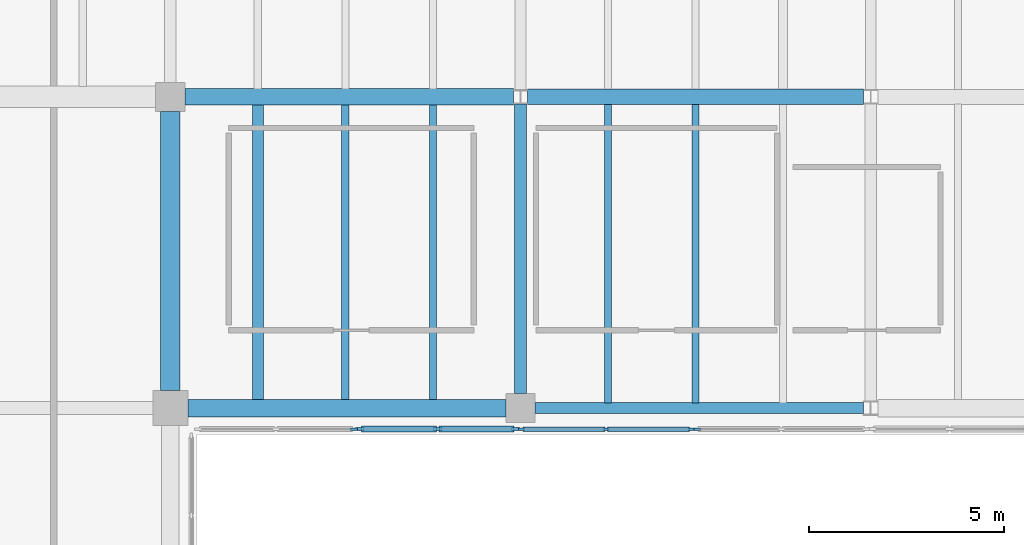
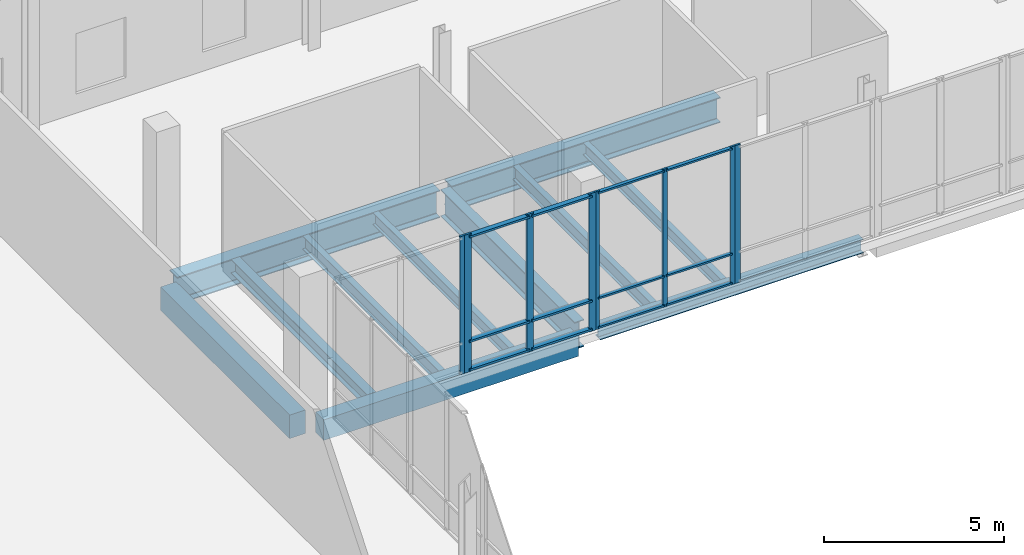
# One storey, part 34 of 81: 20 members, 11 beams, 4 elements without a shape of their own.
"""IFC4 building model written with IfcOpenShell, lengths in metres."""

from ifc_helpers import new_model, si_unit, direction, frame, origin, origin_2d, place, context, subcontext, project, spatial, rectangle, i_section, extrude, material, material_profile, profile_set, type_object, element, aggregate, save


model = new_model("IFC4")

# Units and contexts
model_context = context("Model", 3, precision=1e-05, world=origin(), true_north=direction((0.0, 1.0)))
body_context = subcontext(model_context, "Body", "Model", "MODEL_VIEW")
ifc_project = project(units=[si_unit("LENGTHUNIT", "METRE"), si_unit("AREAUNIT", "SQUARE_METRE"), si_unit("VOLUMEUNIT", "CUBIC_METRE"), si_unit("PLANEANGLEUNIT", "RADIAN"), si_unit("MASSUNIT", "GRAM", prefix="KILO")], contexts=[model_context])

# Site, building, storey
site_placement = place(None, origin())
site = spatial("IfcSite", under=ifc_project, at=site_placement, CompositionType="ELEMENT")
building_placement = place(site_placement, origin())
building = spatial("IfcBuilding", under=site, at=building_placement, Name="Trimount Lyric Opera House", CompositionType="ELEMENT")
storey_placement = place(building_placement, frame((0.0, 0.0, 5.0)))
storey = spatial("IfcBuildingStorey", under=building, at=storey_placement, Name="L01", CompositionType="ELEMENT", Elevation=5.0)

# Beams
ifc_material_1 = material(Name="Steel ASTM A992 Grade 50", Category="steel")
ifc_material_profile_1 = material_profile(ifc_material_1, i_section(OverallWidth=0.4189453125, OverallDepth=0.927001953125, WebThickness=0.019287109375, FlangeThickness=0.031982421875, FilletRadius=0.02392578125, at=origin_2d()), Name="W36X231")
ifc_profile_set_1 = profile_set([ifc_material_profile_1], Name="Steel ASTM A992 Grade 50")
beam_type_1 = type_object("IfcBeamType", Name="B-02", PredefinedType="BEAM", material=ifc_profile_set_1)
beam_1_placement = place(storey_placement, frame((18.375, 110.0, -0.743408203125), z_axis=(1.0, 0.0, 0.0), x_axis=(0.0, 1.0, 0.0)))
element("IfcBeam", 1, at=beam_1_placement, inside=storey, type_object=beam_type_1, Name="L01 girder X-0565", PredefinedType="BEAM", context=body_context, shape_type="SweptSolid", body=[
    extrude(i_section(OverallWidth=0.4189453125, OverallDepth=0.927001953125, WebThickness=0.019287109375, FlangeThickness=0.031982421875, FilletRadius=0.02392578125, at=origin_2d()), origin(), (0.0, 0.0, 1.0), 8.44091796875),
])
ifc_material_2 = material(Name="Steel ASTM A992 Grade 50", Category="steel")
ifc_material_profile_2 = material_profile(ifc_material_2, i_section(OverallWidth=0.304931640625, OverallDepth=0.9189453125, WebThickness=0.017333984375, FlangeThickness=0.02783203125, FilletRadius=0.02001953125, at=origin_2d()), Name="W36X170")
ifc_profile_set_2 = profile_set([ifc_material_profile_2], Name="Steel ASTM A992 Grade 50")
beam_type_2 = type_object("IfcBeamType", Name="B-03", PredefinedType="BEAM", material=ifc_profile_set_2)
beam_2_placement = place(storey_placement, frame((27.0, 102.375, -0.739501953125), z_axis=(0.0, 1.0, 0.0), x_axis=(-1.0, 0.0, 0.0)))
element("IfcBeam", 2, at=beam_2_placement, inside=storey, type_object=beam_type_2, Name="L01 girder Y-0621", PredefinedType="BEAM", context=body_context, shape_type="SweptSolid", body=[
    extrude(i_section(OverallWidth=0.304931640625, OverallDepth=0.9189453125, WebThickness=0.017333984375, FlangeThickness=0.02783203125, FilletRadius=0.02001953125, at=origin_2d()), origin(), (0.0, 0.0, 1.0), 7.447021484375),
])
ifc_material_3 = material(Name="Steel ASTM A992 Grade 50", Category="steel")
ifc_material_profile_3 = material_profile(ifc_material_3, i_section(OverallWidth=0.40087890625, OverallDepth=0.861083984375, WebThickness=0.019775390625, FlangeThickness=0.032470703125, FilletRadius=0.02001953125, at=origin_2d()), Name="W33X221")
ifc_profile_set_3 = profile_set([ifc_material_profile_3], Name="Steel ASTM A992 Grade 50")
beam_type_3 = type_object("IfcBeamType", Name="B-04", PredefinedType="BEAM", material=ifc_profile_set_3)
beam_3_placement = place(storey_placement, frame((27.18408203125, 110.0, -0.71044921875), z_axis=(1.0, 0.0, 0.0), x_axis=(0.0, 1.0, 0.0)))
element("IfcBeam", 3, at=beam_3_placement, inside=storey, type_object=beam_type_3, Name="L01 girder X-0566", PredefinedType="BEAM", context=body_context, shape_type="SweptSolid", body=[
    extrude(i_section(OverallWidth=0.40087890625, OverallDepth=0.861083984375, WebThickness=0.019775390625, FlangeThickness=0.032470703125, FilletRadius=0.02001953125, at=origin_2d()), origin(), (0.0, 0.0, 1.0), 8.62939453125),
])
ifc_material_4 = material(Name="Concrete C40/50", Category="concrete")
ifc_material_profile_4 = material_profile(ifc_material_4, rectangle(XDim=0.5, YDim=0.800048828125, at=origin_2d()), Name="RC500X800")
ifc_profile_set_4 = profile_set([ifc_material_profile_4], Name="Concrete C40/50")
beam_type_4 = type_object("IfcBeamType", Name="B-15", PredefinedType="BEAM", material=ifc_profile_set_4)
beam_4_placement = place(storey_placement, frame((18.0, 102.449951171875, -0.679931640625), z_axis=(0.0, 1.0, 0.0), x_axis=(-1.0, 0.0, 0.0)))
element("IfcBeam", 4, at=beam_4_placement, inside=storey, type_object=beam_type_4, Name="L01 girder Y-0617", PredefinedType="BEAM", context=body_context, shape_type="SweptSolid", body=[
    extrude(rectangle(XDim=0.5, YDim=0.800048828125, at=origin_2d()), origin(), (0.0, 0.0, 1.0), 7.175048828125),
])
ifc_material_5 = material(Name="Steel ASTM A992 Grade 50", Category="steel")
ifc_material_profile_5 = material_profile(ifc_material_5, i_section(OverallWidth=0.281982421875, OverallDepth=0.467041015625, WebThickness=0.01220703125, FlangeThickness=0.01953125, FilletRadius=0.012939453125, at=origin_2d()), Name="W18X86")
ifc_profile_set_5 = profile_set([ifc_material_profile_5], Name="Steel ASTM A992 Grade 50")
beam_type_5 = type_object("IfcBeamType", Name="J-03", PredefinedType="BEAM", material=ifc_profile_set_5)
beam_5_placement = place(storey_placement, frame((20.25, 102.220947265625, -0.513427734375), z_axis=(0.0, 1.0, 0.0), x_axis=(-1.0, 0.0, 0.0)))
element("IfcBeam", 5, at=beam_5_placement, inside=storey, type_object=beam_type_5, Name="L01 composite floor joist 0605", PredefinedType="BEAM", context=body_context, shape_type="SweptSolid", body=[
    extrude(i_section(OverallWidth=0.281982421875, OverallDepth=0.467041015625, WebThickness=0.01220703125, FlangeThickness=0.01953125, FilletRadius=0.012939453125, at=origin_2d()), origin(), (0.0, 0.0, 1.0), 7.573486328125),
])
ifc_material_6 = material(Name="Steel ASTM A992 Grade 50", Category="steel")
ifc_material_profile_6 = material_profile(ifc_material_6, i_section(OverallWidth=0.19091796875, OverallDepth=0.45703125, WebThickness=0.009033203125, FlangeThickness=0.014404296875, FilletRadius=0.010986328125, at=origin_2d()), Name="W18X50")
ifc_profile_set_6 = profile_set([ifc_material_profile_6], Name="Steel ASTM A992 Grade 50")
beam_type_6 = type_object("IfcBeamType", Name="J-04", PredefinedType="BEAM", material=ifc_profile_set_6)
beam_6_placement = place(storey_placement, frame((22.5, 102.220947265625, -0.508544921875), z_axis=(0.0, 1.0, 0.0), x_axis=(-1.0, 0.0, 0.0)))
element("IfcBeam", 6, at=beam_6_placement, inside=storey, type_object=beam_type_6, Name="L01 composite floor joist 0606", PredefinedType="BEAM", context=body_context, shape_type="SweptSolid", body=[
    extrude(i_section(OverallWidth=0.19091796875, OverallDepth=0.45703125, WebThickness=0.009033203125, FlangeThickness=0.014404296875, FilletRadius=0.010986328125, at=origin_2d()), origin(), (0.0, 0.0, 1.0), 7.573486328125),
])
beam_7_placement = place(storey_placement, frame((29.25, 102.136962890625, -0.508544921875), z_axis=(0.0, 1.0, 0.0), x_axis=(-1.0, 0.0, 0.0)))
element("IfcBeam", 7, at=beam_7_placement, inside=storey, type_object=beam_type_6, Name="L01 composite floor joist 0615", PredefinedType="BEAM", context=body_context, shape_type="SweptSolid", body=[
    extrude(i_section(OverallWidth=0.19091796875, OverallDepth=0.45703125, WebThickness=0.009033203125, FlangeThickness=0.014404296875, FilletRadius=0.010986328125, at=origin_2d()), origin(), (0.0, 0.0, 1.0), 7.66650390625),
])
ifc_material_7 = material(Name="Steel ASTM A992 Grade 50", Category="steel")
ifc_material_profile_7 = material_profile(ifc_material_7, i_section(OverallWidth=0.180908203125, OverallDepth=0.4169921875, WebThickness=0.010986328125, FlangeThickness=0.018310546875, FilletRadius=0.010986328125, at=origin_2d()), Name="W16X57")
ifc_profile_set_7 = profile_set([ifc_material_profile_7], Name="Steel ASTM A992 Grade 50")
beam_type_7 = type_object("IfcBeamType", Name="J-05", PredefinedType="BEAM", material=ifc_profile_set_7)
beam_8_placement = place(storey_placement, frame((24.75, 102.220947265625, -0.488525390625), z_axis=(0.0, 1.0, 0.0), x_axis=(-1.0, 0.0, 0.0)))
element("IfcBeam", 8, at=beam_8_placement, inside=storey, type_object=beam_type_7, Name="L01 composite floor joist 0607", PredefinedType="BEAM", context=body_context, shape_type="SweptSolid", body=[
    extrude(i_section(OverallWidth=0.180908203125, OverallDepth=0.4169921875, WebThickness=0.010986328125, FlangeThickness=0.018310546875, FilletRadius=0.010986328125, at=origin_2d()), origin(), (0.0, 0.0, 1.0), 7.573486328125),
])
beam_9_placement = place(storey_placement, frame((31.5, 102.136962890625, -0.488525390625), z_axis=(0.0, 1.0, 0.0), x_axis=(-1.0, 0.0, 0.0)))
element("IfcBeam", 9, at=beam_9_placement, inside=storey, type_object=beam_type_7, Name="L01 composite floor joist 0616", PredefinedType="BEAM", context=body_context, shape_type="SweptSolid", body=[
    extrude(i_section(OverallWidth=0.180908203125, OverallDepth=0.4169921875, WebThickness=0.010986328125, FlangeThickness=0.018310546875, FilletRadius=0.010986328125, at=origin_2d()), origin(), (0.0, 0.0, 1.0), 7.66650390625),
])

# Curtain wall, members
ifc_material_8 = material(Name="Thermally Broken Aluminium and Low-E Glass", Category="aluminium")
curtain_wall_type = type_object("IfcCurtainWallType", Name="CW-03", PredefinedType="NOTDEFINED", material=ifc_material_8)
curtain_wall_1_placement = place(storey_placement, origin())
curtain_wall_1 = element("IfcCurtainWall", 10, at=curtain_wall_1_placement, inside=storey, type_object=curtain_wall_type, Name="L01 curtain wall 159", PredefinedType="NOTDEFINED")
ifc_material_9 = material(Name="Anodised Aluminium 6063-T6", Category="aluminium")
ifc_material_profile_8 = material_profile(ifc_material_9, rectangle(XDim=0.070068359375, YDim=0.219970703125, at=origin_2d()), Name="ALU-MULL-70X220")
ifc_profile_set_8 = profile_set([ifc_material_profile_8], Name="Anodised Aluminium 6063-T6")
member_type_1 = type_object("IfcMemberType", Name="ML-01", PredefinedType="MULLION", material=ifc_profile_set_8)
member_1_placement = place(storey_placement, frame((26.875, 101.4599609375, 0.0), z_axis=(0.0, 0.0, 1.0), x_axis=(0.0, -1.0, 0.0)))
member_1 = element("IfcMember", 11, at=member_1_placement, type_object=member_type_1, Name="CW-03 mullion 1", PredefinedType="MULLION", context=body_context, shape_type="SweptSolid", body=[
    extrude(rectangle(XDim=0.070068359375, YDim=0.219970703125, at=origin_2d()), origin(), (0.0, 0.0, 1.0), 4.679931640625),
])
member_2_placement = place(storey_placement, frame((24.875, 101.4599609375, 0.0), z_axis=(0.0, 0.0, 1.0), x_axis=(0.0, -1.0, 0.0)))
member_2 = element("IfcMember", 12, at=member_2_placement, type_object=member_type_1, Name="CW-03 mullion 2", PredefinedType="MULLION", context=body_context, shape_type="SweptSolid", body=[
    extrude(rectangle(XDim=0.070068359375, YDim=0.219970703125, at=origin_2d()), origin(), (0.0, 0.0, 1.0), 4.679931640625),
])
member_3_placement = place(storey_placement, frame((22.875, 101.4599609375, 0.0), z_axis=(0.0, 0.0, 1.0), x_axis=(0.0, -1.0, 0.0)))
member_3 = element("IfcMember", 13, at=member_3_placement, type_object=member_type_1, Name="CW-03 mullion 3", PredefinedType="MULLION", context=body_context, shape_type="SweptSolid", body=[
    extrude(rectangle(XDim=0.070068359375, YDim=0.219970703125, at=origin_2d()), origin(), (0.0, 0.0, 1.0), 4.679931640625),
])

# Curtain wall, member
curtain_wall_2_placement = place(storey_placement, origin())
curtain_wall_2 = element("IfcCurtainWall", 14, at=curtain_wall_2_placement, inside=storey, type_object=curtain_wall_type, Name="L01 curtain wall 157", PredefinedType="NOTDEFINED")
ifc_material_10 = material(Name="Anodised Aluminium 6063-T6", Category="aluminium")
ifc_material_profile_9 = material_profile(ifc_material_10, rectangle(XDim=0.06494140625, YDim=0.179931640625, at=origin_2d()), Name="ALU-MULL-65X180")
ifc_profile_set_9 = profile_set([ifc_material_profile_9], Name="Anodised Aluminium 6063-T6")
member_type_2 = type_object("IfcMemberType", Name="ML-02", PredefinedType="MULLION", material=ifc_profile_set_9)
member_4_placement = place(storey_placement, frame((31.532470703125, 101.4599609375, 0.0), z_axis=(0.0, 0.0, 1.0), x_axis=(0.0, -1.0, 0.0)))
member_4 = element("IfcMember", 15, at=member_4_placement, type_object=member_type_2, Name="CW-03 mullion 3", PredefinedType="MULLION", context=body_context, shape_type="SweptSolid", body=[
    extrude(rectangle(XDim=0.06494140625, YDim=0.179931640625, at=origin_2d()), origin(), (0.0, 0.0, 1.0), 4.679931640625),
])
aggregate(curtain_wall_2, [member_4])

curtain_wall_3_placement = place(storey_placement, origin())
curtain_wall_3 = element("IfcCurtainWall", 16, at=curtain_wall_3_placement, inside=storey, type_object=curtain_wall_type, Name="L01 curtain wall 160", PredefinedType="NOTDEFINED")
member_5_placement = place(storey_placement, frame((22.717529296875, 101.4599609375, 0.0), z_axis=(0.0, 0.0, 1.0), x_axis=(0.0, -1.0, 0.0)))
member_5 = element("IfcMember", 17, at=member_5_placement, type_object=member_type_2, Name="CW-03 mullion 1", PredefinedType="MULLION", context=body_context, shape_type="SweptSolid", body=[
    extrude(rectangle(XDim=0.06494140625, YDim=0.179931640625, at=origin_2d()), origin(), (0.0, 0.0, 1.0), 4.679931640625),
])
aggregate(curtain_wall_3, [member_5])

# Curtain wall, members
curtain_wall_4_placement = place(storey_placement, origin())
curtain_wall_4 = element("IfcCurtainWall", 18, at=curtain_wall_4_placement, inside=storey, type_object=curtain_wall_type, Name="L01 curtain wall 158", PredefinedType="NOTDEFINED")
ifc_material_11 = material(Name="Anodised Aluminium 6063-T6", Category="aluminium")
ifc_material_profile_10 = material_profile(ifc_material_11, rectangle(XDim=0.06005859375, YDim=0.14990234375, at=origin_2d()), Name="ALU-MULL-60X150")
ifc_profile_set_10 = profile_set([ifc_material_profile_10], Name="Anodised Aluminium 6063-T6")
member_type_3 = type_object("IfcMemberType", Name="ML-03", PredefinedType="MULLION", material=ifc_profile_set_10)
member_6_placement = place(storey_placement, frame((31.3798828125, 101.4599609375, 0.0), z_axis=(0.0, 0.0, 1.0), x_axis=(0.0, -1.0, 0.0)))
member_6 = element("IfcMember", 19, at=member_6_placement, type_object=member_type_3, Name="CW-03 mullion 1", PredefinedType="MULLION", context=body_context, shape_type="SweptSolid", body=[
    extrude(rectangle(XDim=0.06005859375, YDim=0.14990234375, at=origin_2d()), origin(), (0.0, 0.0, 1.0), 4.679931640625),
])
member_7_placement = place(storey_placement, frame((29.205078125, 101.4599609375, 0.0), z_axis=(0.0, 0.0, 1.0), x_axis=(0.0, -1.0, 0.0)))
member_7 = element("IfcMember", 20, at=member_7_placement, type_object=member_type_3, Name="CW-03 mullion 2", PredefinedType="MULLION", context=body_context, shape_type="SweptSolid", body=[
    extrude(rectangle(XDim=0.06005859375, YDim=0.14990234375, at=origin_2d()), origin(), (0.0, 0.0, 1.0), 4.679931640625),
])
member_8_placement = place(storey_placement, frame((27.030029296875, 101.4599609375, 0.0), z_axis=(0.0, 0.0, 1.0), x_axis=(0.0, -1.0, 0.0)))
member_8 = element("IfcMember", 21, at=member_8_placement, type_object=member_type_3, Name="CW-03 mullion 3", PredefinedType="MULLION", context=body_context, shape_type="SweptSolid", body=[
    extrude(rectangle(XDim=0.06005859375, YDim=0.14990234375, at=origin_2d()), origin(), (0.0, 0.0, 1.0), 4.679931640625),
])

# Beams
ifc_material_12 = material(Name="Steel ASTM A992 Grade 50", Category="steel")
ifc_material_profile_11 = material_profile(ifc_material_12, i_section(OverallWidth=0.281982421875, OverallDepth=0.467041015625, WebThickness=0.01220703125, FlangeThickness=0.01953125, FilletRadius=0.012939453125, at=origin_2d()), Name="W18X86")
ifc_profile_set_11 = profile_set([ifc_material_profile_11], Name="Steel ASTM A992 Grade 50")
beam_type_8 = type_object("IfcBeamType", Name="SP-01", PredefinedType="SPANDREL", material=ifc_profile_set_11)
beam_10_placement = place(storey_placement, frame((27.375, 102.0, -0.513427734375), z_axis=(1.0, 0.0, 0.0), x_axis=(0.0, 1.0, 0.0)))
element("IfcBeam", 22, at=beam_10_placement, inside=storey, type_object=beam_type_8, Name="L01 girder X-0552", PredefinedType="SPANDREL", context=body_context, shape_type="SweptSolid", body=[
    extrude(i_section(OverallWidth=0.281982421875, OverallDepth=0.467041015625, WebThickness=0.01220703125, FlangeThickness=0.01953125, FilletRadius=0.012939453125, at=origin_2d()), origin(), (0.0, 0.0, 1.0), 8.44091796875),
])
ifc_material_13 = material(Name="Concrete C40/50", Category="concrete")
ifc_material_profile_12 = material_profile(ifc_material_13, rectangle(XDim=0.449951171875, YDim=0.699951171875, at=origin_2d()), Name="RC450X700")
ifc_profile_set_12 = profile_set([ifc_material_profile_12], Name="Concrete C40/50")
beam_type_9 = type_object("IfcBeamType", Name="SP-02", PredefinedType="SPANDREL", material=ifc_profile_set_12)
beam_11_placement = place(storey_placement, frame((18.449951171875, 102.0, -0.6298828125), z_axis=(1.0, 0.0, 0.0), x_axis=(0.0, 1.0, 0.0)))
element("IfcBeam", 23, at=beam_11_placement, inside=storey, type_object=beam_type_9, Name="L01 girder X-0551", PredefinedType="SPANDREL", context=body_context, shape_type="SweptSolid", body=[
    extrude(rectangle(XDim=0.449951171875, YDim=0.699951171875, at=origin_2d()), origin(), (0.0, 0.0, 1.0), 8.175048828125),
])

# Member
ifc_material_14 = material(Name="Anodised Aluminium 6063-T6", Category="aluminium")
ifc_material_profile_13 = material_profile(ifc_material_14, rectangle(XDim=0.159912109375, YDim=0.070068359375, at=origin_2d()), Name="ALU-TRAN-70X160")
ifc_profile_set_13 = profile_set([ifc_material_profile_13], Name="Anodised Aluminium 6063-T6")
member_type_4 = type_object("IfcMemberType", Name="TR-01", PredefinedType="USERDEFINED", material=ifc_profile_set_13)
member_9_placement = place(storey_placement, frame((26.840087890625, 101.4599609375, 0.080078125), z_axis=(-1.0, 0.0, 0.0), x_axis=(0.0, -1.0, 0.0)))
member_9 = element("IfcMember", 24, at=member_9_placement, type_object=member_type_4, Name="CW-03 transom 1.1", ObjectType="TRANSOM", PredefinedType="USERDEFINED", context=body_context, shape_type="SweptSolid", body=[
    extrude(rectangle(XDim=0.159912109375, YDim=0.070068359375, at=origin_2d()), origin(), (0.0, 0.0, 1.0), 1.93017578125),
])

member_10_placement = place(storey_placement, frame((26.840087890625, 101.4599609375, 1.050048828125), z_axis=(-1.0, 0.0, 0.0), x_axis=(0.0, -1.0, 0.0)))
member_10 = element("IfcMember", 25, at=member_10_placement, type_object=member_type_4, Name="CW-03 transom 1.2", ObjectType="TRANSOM", PredefinedType="USERDEFINED", context=body_context, shape_type="SweptSolid", body=[
    extrude(rectangle(XDim=0.159912109375, YDim=0.070068359375, at=origin_2d()), origin(), (0.0, 0.0, 1.0), 1.93017578125),
])

member_11_placement = place(storey_placement, frame((26.840087890625, 101.4599609375, 4.60009765625), z_axis=(-1.0, 0.0, 0.0), x_axis=(0.0, -1.0, 0.0)))
member_11 = element("IfcMember", 26, at=member_11_placement, type_object=member_type_4, Name="CW-03 transom 1.3", ObjectType="TRANSOM", PredefinedType="USERDEFINED", context=body_context, shape_type="SweptSolid", body=[
    extrude(rectangle(XDim=0.159912109375, YDim=0.070068359375, at=origin_2d()), origin(), (0.0, 0.0, 1.0), 1.93017578125),
])

member_12_placement = place(storey_placement, frame((24.840087890625, 101.4599609375, 0.080078125), z_axis=(-1.0, 0.0, 0.0), x_axis=(0.0, -1.0, 0.0)))
member_12 = element("IfcMember", 27, at=member_12_placement, type_object=member_type_4, Name="CW-03 transom 2.1", ObjectType="TRANSOM", PredefinedType="USERDEFINED", context=body_context, shape_type="SweptSolid", body=[
    extrude(rectangle(XDim=0.159912109375, YDim=0.070068359375, at=origin_2d()), origin(), (0.0, 0.0, 1.0), 1.93017578125),
])

member_13_placement = place(storey_placement, frame((24.840087890625, 101.4599609375, 1.050048828125), z_axis=(-1.0, 0.0, 0.0), x_axis=(0.0, -1.0, 0.0)))
member_13 = element("IfcMember", 28, at=member_13_placement, type_object=member_type_4, Name="CW-03 transom 2.2", ObjectType="TRANSOM", PredefinedType="USERDEFINED", context=body_context, shape_type="SweptSolid", body=[
    extrude(rectangle(XDim=0.159912109375, YDim=0.070068359375, at=origin_2d()), origin(), (0.0, 0.0, 1.0), 1.93017578125),
])

member_14_placement = place(storey_placement, frame((24.840087890625, 101.4599609375, 4.60009765625), z_axis=(-1.0, 0.0, 0.0), x_axis=(0.0, -1.0, 0.0)))
member_14 = element("IfcMember", 29, at=member_14_placement, type_object=member_type_4, Name="CW-03 transom 2.3", ObjectType="TRANSOM", PredefinedType="USERDEFINED", context=body_context, shape_type="SweptSolid", body=[
    extrude(rectangle(XDim=0.159912109375, YDim=0.070068359375, at=origin_2d()), origin(), (0.0, 0.0, 1.0), 1.93017578125),
])

aggregate(curtain_wall_1, [member_1, member_2, member_3, member_9, member_10, member_11, member_12, member_13, member_14])

ifc_material_15 = material(Name="Anodised Aluminium 6063-T6", Category="aluminium")
ifc_material_profile_14 = material_profile(ifc_material_15, rectangle(XDim=0.114990234375, YDim=0.06005859375, at=origin_2d()), Name="ALU-TRAN-60X115")
ifc_profile_set_14 = profile_set([ifc_material_profile_14], Name="Anodised Aluminium 6063-T6")
member_type_5 = type_object("IfcMemberType", Name="TR-03", PredefinedType="USERDEFINED", material=ifc_profile_set_14)
member_15_placement = place(storey_placement, frame((31.35009765625, 101.4599609375, 0.0576171875), z_axis=(-1.0, 0.0, 0.0), x_axis=(0.0, -1.0, 0.0)))
member_15 = element("IfcMember", 30, at=member_15_placement, type_object=member_type_5, Name="CW-03 transom 1.1", ObjectType="TRANSOM", PredefinedType="USERDEFINED", context=body_context, shape_type="SweptSolid", body=[
    extrude(rectangle(XDim=0.114990234375, YDim=0.06005859375, at=origin_2d()), origin(), (0.0, 0.0, 1.0), 2.114990234375),
])

member_16_placement = place(storey_placement, frame((31.35009765625, 101.4599609375, 1.050048828125), z_axis=(-1.0, 0.0, 0.0), x_axis=(0.0, -1.0, 0.0)))
member_16 = element("IfcMember", 31, at=member_16_placement, type_object=member_type_5, Name="CW-03 transom 1.2", ObjectType="TRANSOM", PredefinedType="USERDEFINED", context=body_context, shape_type="SweptSolid", body=[
    extrude(rectangle(XDim=0.114990234375, YDim=0.06005859375, at=origin_2d()), origin(), (0.0, 0.0, 1.0), 2.114990234375),
])

member_17_placement = place(storey_placement, frame((31.35009765625, 101.4599609375, 4.62255859375), z_axis=(-1.0, 0.0, 0.0), x_axis=(0.0, -1.0, 0.0)))
member_17 = element("IfcMember", 32, at=member_17_placement, type_object=member_type_5, Name="CW-03 transom 1.3", ObjectType="TRANSOM", PredefinedType="USERDEFINED", context=body_context, shape_type="SweptSolid", body=[
    extrude(rectangle(XDim=0.114990234375, YDim=0.06005859375, at=origin_2d()), origin(), (0.0, 0.0, 1.0), 2.114990234375),
])

member_18_placement = place(storey_placement, frame((29.175048828125, 101.4599609375, 0.0576171875), z_axis=(-1.0, 0.0, 0.0), x_axis=(0.0, -1.0, 0.0)))
member_18 = element("IfcMember", 33, at=member_18_placement, type_object=member_type_5, Name="CW-03 transom 2.1", ObjectType="TRANSOM", PredefinedType="USERDEFINED", context=body_context, shape_type="SweptSolid", body=[
    extrude(rectangle(XDim=0.114990234375, YDim=0.06005859375, at=origin_2d()), origin(), (0.0, 0.0, 1.0), 2.114990234375),
])

member_19_placement = place(storey_placement, frame((29.175048828125, 101.4599609375, 1.050048828125), z_axis=(-1.0, 0.0, 0.0), x_axis=(0.0, -1.0, 0.0)))
member_19 = element("IfcMember", 34, at=member_19_placement, type_object=member_type_5, Name="CW-03 transom 2.2", ObjectType="TRANSOM", PredefinedType="USERDEFINED", context=body_context, shape_type="SweptSolid", body=[
    extrude(rectangle(XDim=0.114990234375, YDim=0.06005859375, at=origin_2d()), origin(), (0.0, 0.0, 1.0), 2.114990234375),
])

member_20_placement = place(storey_placement, frame((29.175048828125, 101.4599609375, 4.62255859375), z_axis=(-1.0, 0.0, 0.0), x_axis=(0.0, -1.0, 0.0)))
member_20 = element("IfcMember", 35, at=member_20_placement, type_object=member_type_5, Name="CW-03 transom 2.3", ObjectType="TRANSOM", PredefinedType="USERDEFINED", context=body_context, shape_type="SweptSolid", body=[
    extrude(rectangle(XDim=0.114990234375, YDim=0.06005859375, at=origin_2d()), origin(), (0.0, 0.0, 1.0), 2.114990234375),
])

aggregate(curtain_wall_4, [member_6, member_7, member_8, member_15, member_16, member_17, member_18, member_19, member_20])

save(model, "model.ifc")
